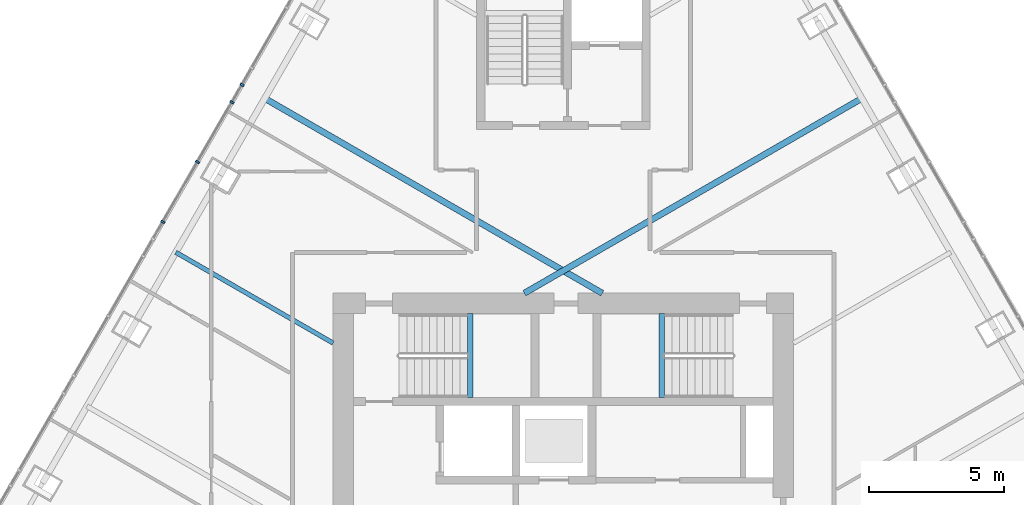
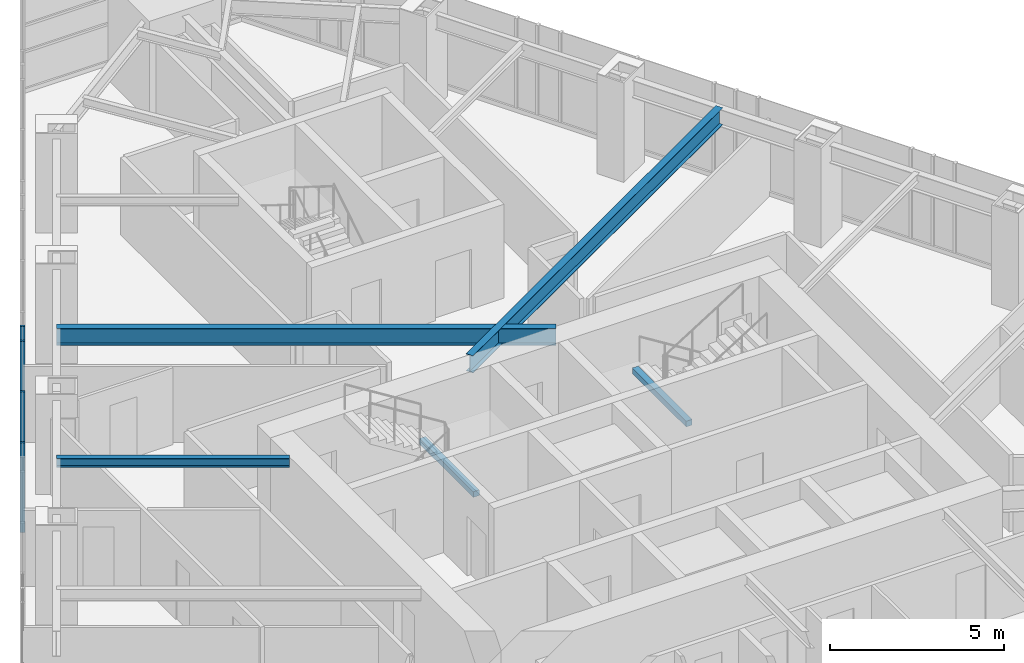
# One storey, part 7 of 20: 5 beams, 4 members, 1 element without a shape of its own.
"""IFC4 building model written with IfcOpenShell, lengths in metres."""

import ifcopenshell
import ifcopenshell.guid

model = None  # the IFC model being written
_history = None  # IfcOwnerHistory: only IFC2X3 demands one
_inside = {}  # id of a spatial element -> (the spatial element, [elements in it])
_under = {}  # id of a project, library or spatial element -> (it, [spatial elements below it])
_declared = {}  # id of a project -> (the project, [libraries it declares])
_typed = {}  # id of a type object -> (the type object, [elements of that type])
_made_of = {}  # id of a material, layer set ... -> (it, [elements and type objects made of it])


def new_model(schema):
    """Start an empty IFC model of exactly this schema.

    Asked for "IFC4X3", IfcOpenShell would pick the latest addendum, in which some entities
    have other attributes; the version numbers below select the first issue.
    IFC2X3 requires an IfcOwnerHistory on every rooted entity: one is made here for all.
    """
    global model, _history
    if schema == "IFC4X3":
        model = ifcopenshell.file(schema_version=(4, 3, 0, 0))
    else:
        model = ifcopenshell.file(schema=schema)
    _inside.clear()
    _under.clear()
    _declared.clear()
    _typed.clear()
    _made_of.clear()
    _history = None
    if model.schema == "IFC2X3":
        org = make("IfcOrganization", Name="unknown")
        user = make(
            "IfcPersonAndOrganization",
            ThePerson=make("IfcPerson", FamilyName="unknown"),
            TheOrganization=org,
        )
        app = make(
            "IfcApplication",
            ApplicationDeveloper=org,
            Version="unknown",
            ApplicationFullName="unknown",
            ApplicationIdentifier="unknown",
        )
        _history = make(
            "IfcOwnerHistory",
            OwningUser=user,
            OwningApplication=app,
            ChangeAction="ADDED",
            CreationDate=0,
        )
    return model


def make(cls, **values):
    """One entity of the class cls with the attributes given. An attribute that is None is left unset."""
    return model.create_entity(
        cls, **{name: value for name, value in values.items() if value is not None}
    )


def rooted(cls, **values):
    """An entity with a GlobalId (a new one), such as an element, a storey or a relation."""
    return make(cls, GlobalId=ifcopenshell.guid.new(), OwnerHistory=_history, **values)


def si_unit(unit_type, name, prefix=None):
    """IfcSIUnit, for example si_unit("LENGTHUNIT", "METRE", prefix="MILLI")."""
    return make("IfcSIUnit", UnitType=unit_type, Prefix=prefix, Name=name)


def assignment(units):
    """IfcUnitAssignment: the units of a project."""
    return None if units is None else make("IfcUnitAssignment", Units=units)


def point(xyz):
    """IfcCartesianPoint."""
    return None if xyz is None else make("IfcCartesianPoint", Coordinates=xyz)


def direction(xyz):
    """IfcDirection."""
    return None if xyz is None else make("IfcDirection", DirectionRatios=xyz)


def frame(location, z_axis=None, x_axis=None):
    """IfcAxis2Placement3D, a coordinate frame: its origin and axes. An axis left out is left unset."""
    return make(
        "IfcAxis2Placement3D",
        Location=point(location),
        Axis=direction(z_axis),
        RefDirection=direction(x_axis),
    )


def frame_2d(location, x_axis=None):
    """IfcAxis2Placement2D, a coordinate frame in the plane: its origin and x axis."""
    return make(
        "IfcAxis2Placement2D", Location=point(location), RefDirection=direction(x_axis)
    )


def origin():
    """The frame at (0, 0, 0) with its axes left unset."""
    return frame((0.0, 0.0, 0.0))


def origin_2d():
    """The frame at (0, 0) in the plane with its x axis left unset."""
    return frame_2d((0.0, 0.0))


def place(relative_to, where):
    """IfcLocalPlacement: puts the frame where relative to a parent placement (None: the world)."""
    return make(
        "IfcLocalPlacement", PlacementRelTo=relative_to, RelativePlacement=where
    )


def context(
    kind, dimensions, precision=None, world=None, true_north=None, identifier=None
):
    """IfcGeometricRepresentationContext, for example the 3D "Model" context."""
    return make(
        "IfcGeometricRepresentationContext",
        ContextIdentifier=identifier,
        ContextType=kind,
        CoordinateSpaceDimension=dimensions,
        Precision=precision,
        WorldCoordinateSystem=world,
        TrueNorth=true_north,
    )


def subcontext(parent, identifier, kind, view, scale=None):
    """IfcGeometricRepresentationSubContext, for example "Body" below "Model"."""
    return make(
        "IfcGeometricRepresentationSubContext",
        ContextIdentifier=identifier,
        ContextType=kind,
        ParentContext=parent,
        TargetScale=scale,
        TargetView=view,
    )


def project(units=None, contexts=None):
    """IfcProject with its units and contexts."""
    return rooted(
        "IfcProject",
        Name="project",
        RepresentationContexts=contexts,
        UnitsInContext=assignment(units),
    )


def spatial(cls, under=None, at=None, **own):
    """A site, building, storey or space (cls), placed at a placement, below another one or the project."""
    s = rooted(cls, ObjectPlacement=at, **own)
    if under is not None:
        _under.setdefault(under.id(), (under, []))[1].append(s)
    return s


def profile(cls, at=None, kind="AREA", **sizes):
    """A parametric profile (cls). Its sizes go by their IFC names, for example OverallWidth=200.0."""
    return make(cls, ProfileType=kind, Position=at, **sizes)


def rectangle(**sizes):
    """IfcRectangleProfileDef."""
    return profile("IfcRectangleProfileDef", **sizes)


def i_section(**sizes):
    """IfcIShapeProfileDef."""
    return profile("IfcIShapeProfileDef", **sizes)


def extrude(swept, where, along, depth):
    """IfcExtrudedAreaSolid: the profile swept, set in the frame where, extruded along a direction by depth."""
    return make(
        "IfcExtrudedAreaSolid",
        SweptArea=swept,
        Position=where,
        ExtrudedDirection=direction(along),
        Depth=depth,
    )


def shape(context_of_items, identifier, shape_type, items):
    """IfcShapeRepresentation: the items that make up one representation, for example the "Body"."""
    return make(
        "IfcShapeRepresentation",
        ContextOfItems=context_of_items,
        RepresentationIdentifier=identifier,
        RepresentationType=shape_type,
        Items=items,
    )


def material(Name=None, Category=None):
    """IfcMaterial."""
    return make("IfcMaterial", Name=Name, Category=Category)


def layer(
    of_material, thickness, ventilated=None, Name=None, Category=None, Priority=None
):
    """IfcMaterialLayer: one layer of a wall or slab, of a material (None: an air gap)."""
    return make(
        "IfcMaterialLayer",
        Material=of_material,
        LayerThickness=thickness,
        IsVentilated=ventilated,
        Name=Name,
        Category=Category,
        Priority=Priority,
    )


def layer_set(layers, Name=None):
    """IfcMaterialLayerSet."""
    return make("IfcMaterialLayerSet", MaterialLayers=layers, LayerSetName=Name)


def material_profile(
    of_material, cross_section, Name=None, Category=None, Priority=None
):
    """IfcMaterialProfile: a cross section and its material."""
    return make(
        "IfcMaterialProfile",
        Name=Name,
        Material=of_material,
        Profile=cross_section,
        Priority=Priority,
        Category=Category,
    )


def profile_set(profiles, Name=None, composite=None):
    """IfcMaterialProfileSet."""
    return make(
        "IfcMaterialProfileSet",
        Name=Name,
        MaterialProfiles=profiles,
        CompositeProfile=composite,
    )


def made_of(thing, what):
    """Note that an element or type object is made of a material, layer set ...; save() writes the relation."""
    if what is not None:
        _made_of.setdefault(what.id(), (what, []))[1].append(thing)
    return thing


def type_object(cls, material=None, **own):
    """A type object (cls), such as IfcWallType, which elements share."""
    return made_of(rooted(cls, **own), material)


def element(
    cls,
    number,
    at=None,
    inside=None,
    cuts=None,
    type_object=None,
    material=None,
    context=None,
    identifier="Body",
    shape_type=None,
    held_by="IfcProductDefinitionShape",
    body=None,
    shapes=None,
    **own,
):
    """One element of the class cls, such as IfcWall. Its Tag is "e" and its number.

    at: its placement. inside: the storey or other place that contains it. cuts: it is an
    opening in that element (IfcRelVoidsElement). A single representation is given by context,
    identifier, shape_type and body (its items); several are given by shapes. held_by: the class
    of the entity that holds the representations. save() writes the other relations.
    """
    e = rooted(cls, Tag="e%d" % number, ObjectPlacement=at, **own)
    if body is not None:
        shapes = [shape(context, identifier, shape_type, body)]
    if shapes is not None:
        e.Representation = make(held_by, Representations=shapes)
    if inside is not None:
        _inside.setdefault(inside.id(), (inside, []))[1].append(e)
    if cuts is not None:
        rooted(
            "IfcRelVoidsElement", RelatingBuildingElement=cuts, RelatedOpeningElement=e
        )
    if type_object is not None:
        _typed.setdefault(type_object.id(), (type_object, []))[1].append(e)
    return made_of(e, material)


def aggregate(whole, parts):
    """IfcRelAggregates: a whole, such as a stair, and the parts it consists of."""
    return rooted("IfcRelAggregates", RelatingObject=whole, RelatedObjects=parts)


def save(model, path):
    """Write the relations noted so far, then the file.

    IfcRelAggregates (storeys below a building ...), IfcRelContainedInSpatialStructure (elements
    in a storey), IfcRelDefinesByType, IfcRelAssociatesMaterial and IfcRelDeclares: one each for
    every whole, place, type object, material and project.
    """
    for whole, parts in _under.values():
        aggregate(whole, parts)
    for where, things in _inside.values():
        rooted(
            "IfcRelContainedInSpatialStructure",
            RelatedElements=things,
            RelatingStructure=where,
        )
    for kind, things in _typed.values():
        rooted("IfcRelDefinesByType", RelatedObjects=things, RelatingType=kind)
    for what, things in _made_of.values():
        rooted("IfcRelAssociatesMaterial", RelatedObjects=things, RelatingMaterial=what)
    for by, libraries in _declared.values():
        rooted("IfcRelDeclares", RelatingContext=by, RelatedDefinitions=libraries)
    model.write(path)


model = new_model("IFC4")

# Units and contexts
model_context = context("Model", 3, precision=1e-05, world=origin(), true_north=direction((0.0, 1.0)))
body_context = subcontext(model_context, "Body", "Model", "MODEL_VIEW")
ifc_project = project(units=[si_unit("LENGTHUNIT", "METRE"), si_unit("AREAUNIT", "SQUARE_METRE"), si_unit("VOLUMEUNIT", "CUBIC_METRE"), si_unit("PLANEANGLEUNIT", "RADIAN"), si_unit("MASSUNIT", "GRAM", prefix="KILO")], contexts=[model_context])

# Site, building, storey
site_placement = place(None, origin())
site = spatial("IfcSite", under=ifc_project, at=site_placement, CompositionType="ELEMENT")
building_placement = place(site_placement, origin())
building = spatial("IfcBuilding", under=site, at=building_placement, Name="Firuza Gate Tower and Library", CompositionType="ELEMENT")
storey_placement = place(building_placement, frame((0.0, 0.0, 277.60009765625)))
storey = spatial("IfcBuildingStorey", under=building, at=storey_placement, Name="L66", CompositionType="ELEMENT", Elevation=277.60009765625)

# Curtain wall, members
ifc_material_1 = material(Name="Aluminium 6063-T6", Category="aluminium")
ifc_layer = layer(ifc_material_1, 0.14990234375)
ifc_layer_set = layer_set([ifc_layer], Name="Unitised curtain wall, residences")
curtain_wall_type = type_object("IfcCurtainWallType", Name="Unitised curtain wall, residences", PredefinedType="NOTDEFINED", material=ifc_layer_set)
curtain_wall_placement = place(storey_placement, origin())
curtain_wall = element("IfcCurtainWall", 1, at=curtain_wall_placement, inside=storey, type_object=curtain_wall_type, Name="CW3 L66 W face", PredefinedType="NOTDEFINED")
ifc_material_2 = material(Name="Aluminium 6063-T6", Category="aluminium")
ifc_material_profile_1 = material_profile(ifc_material_2, rectangle(XDim=0.14990234375, YDim=0.080078125, at=origin_2d()))
ifc_profile_set_1 = profile_set([ifc_material_profile_1], Name="Aluminium 6063-T6")
member_type = type_object("IfcMemberType", Name="Curtain wall mullion 80x150", PredefinedType="MULLION", material=ifc_profile_set_1)
member_1_placement = place(storey_placement, frame((63.134521484375, 89.44580078125, 0.14990234375), z_axis=(0.0, 0.0, 1.0), x_axis=(0.866025403784, -0.5, 0.0)))
member_1 = element("IfcMember", 2, at=member_1_placement, type_object=member_type, Name="Mullion", PredefinedType="MULLION", context=body_context, shape_type="SweptSolid", body=[
    extrude(rectangle(XDim=0.14990234375, YDim=0.080078125, at=origin_2d()), origin(), (0.0, 0.0, 1.0), 3.14990234375),
])
member_2_placement = place(storey_placement, frame((61.490234375, 86.59765625, 0.14990234375), z_axis=(0.0, 0.0, 1.0), x_axis=(0.866025403784, -0.5, 0.0)))
member_2 = element("IfcMember", 3, at=member_2_placement, type_object=member_type, Name="Mullion", PredefinedType="MULLION", context=body_context, shape_type="SweptSolid", body=[
    extrude(rectangle(XDim=0.14990234375, YDim=0.080078125, at=origin_2d()), origin(), (0.0, 0.0, 1.0), 3.14990234375),
])
member_3_placement = place(storey_placement, frame((62.76318359375, 88.802734375, 0.14990234375), z_axis=(0.0, 0.0, 1.0), x_axis=(0.866025403784, -0.5, 0.0)))
member_3 = element("IfcMember", 4, at=member_3_placement, type_object=member_type, Name="Mullion", PredefinedType="MULLION", context=body_context, shape_type="SweptSolid", body=[
    extrude(rectangle(XDim=0.14990234375, YDim=0.080078125, at=origin_2d()), origin(), (0.0, 0.0, 1.0), 3.14990234375),
])
member_4_placement = place(storey_placement, frame((60.2109375, 84.3818359375, 0.14990234375), z_axis=(0.0, 0.0, 1.0), x_axis=(0.866025403784, -0.5, 0.0)))
member_4 = element("IfcMember", 5, at=member_4_placement, type_object=member_type, Name="Mullion", PredefinedType="MULLION", context=body_context, shape_type="SweptSolid", body=[
    extrude(rectangle(XDim=0.14990234375, YDim=0.080078125, at=origin_2d()), origin(), (0.0, 0.0, 1.0), 3.14990234375),
])
aggregate(curtain_wall, [member_1, member_2, member_3, member_4])

# Beams
ifc_material_3 = material(Name="Concrete C35/45", Category="concrete")
ifc_material_profile_2 = material_profile(ifc_material_3, rectangle(XDim=0.199951171875, YDim=0.199951171875, at=origin_2d()))
ifc_profile_set_2 = profile_set([ifc_material_profile_2], Name="Concrete C35/45")
beam_type_1 = type_object("IfcBeamType", Name="Stair landing bearer 200x200", PredefinedType="BEAM", material=ifc_profile_set_2)
for number, where, z_axis, x_axis, name in (
    (6, (71.56005859375, 77.89990234375, 1.449951171875), (0.0, 1.0, 0.0), (-1.0, 0.0, 0.0), "Landing bearer L66 stair 1"),
    (7, (78.639892578125, 81.0, 1.449951171875), (0.0, -1.0, 0.0), (1.0, 0.0, 0.0), "Landing bearer L66 stair 2"),
):
    element("IfcBeam", number, at=place(storey_placement, frame(where, z_axis=z_axis, x_axis=x_axis)), inside=storey, type_object=beam_type_1, Name=name, PredefinedType="BEAM", context=body_context, shape_type="SweptSolid", body=[
        extrude(rectangle(XDim=0.199951171875, YDim=0.199951171875, at=origin_2d()), origin(), (0.0, 0.0, 1.0), 3.10009765625),
    ])
ifc_material_4 = material(Name="Steel S355", Category="steel")
ifc_material_profile_3 = material_profile(ifc_material_4, i_section(OverallWidth=0.1650390625, OverallDepth=0.31005859375, WebThickness=0.005859375, FlangeThickness=0.009765625, at=origin_2d()))
ifc_profile_set_3 = profile_set([ifc_material_profile_3], Name="Steel S355")
beam_type_2 = type_object("IfcBeamType", Name="W310x39 Floor beam", PredefinedType="JOIST", material=ifc_profile_set_3)
beam_placement = place(storey_placement, frame((60.690185546875, 83.26171875, 3.14501953125), z_axis=(0.866028624078, -0.499994422247, 0.0), x_axis=(0.499994422247, 0.866028624078, 0.0)))
element("IfcBeam", 8, at=beam_placement, inside=storey, type_object=beam_type_2, Name="Floor beam L66 s82", PredefinedType="JOIST", context=body_context, shape_type="SweptSolid", body=[
    extrude(i_section(OverallWidth=0.1650390625, OverallDepth=0.31005859375, WebThickness=0.005859375, FlangeThickness=0.009765625, at=origin_2d()), origin(), (0.0, 0.0, 1.0), 6.70849609375),
])
ifc_material_5 = material(Name="Steel S355", Category="steel")
ifc_material_profile_4 = material_profile(ifc_material_5, i_section(OverallWidth=0.22802734375, OverallDepth=0.60302734375, WebThickness=0.010498046875, FlangeThickness=0.014892578125, at=origin_2d()))
ifc_profile_set_4 = profile_set([ifc_material_profile_4], Name="Steel S355")
beam_type_3 = type_object("IfcBeamType", Name="W610x101 Floor beam", PredefinedType="JOIST", material=ifc_profile_set_4)
for number, where, z_axis, x_axis, name in (
    (9, (86.02734375, 88.947509765625, 2.998291015625), (-0.866027142779, -0.499996987961, 0.0), (0.499996987961, -0.866027142779, 0.0), "Floor beam L66 s53"),
    (10, (63.97265625, 88.947509765625, 2.998291015625), (0.866027142779, -0.499996987961, 0.0), (0.499996987961, 0.866027142779, 0.0), "Floor beam L66 s81"),
):
    element("IfcBeam", number, at=place(storey_placement, frame(where, z_axis=z_axis, x_axis=x_axis)), inside=storey, type_object=beam_type_3, Name=name, PredefinedType="JOIST", context=body_context, shape_type="SweptSolid", body=[
        extrude(i_section(OverallWidth=0.22802734375, OverallDepth=0.60302734375, WebThickness=0.010498046875, FlangeThickness=0.014892578125, at=origin_2d()), origin(), (0.0, 0.0, 1.0), 14.39501953125),
    ])

save(model, "model.ifc")
